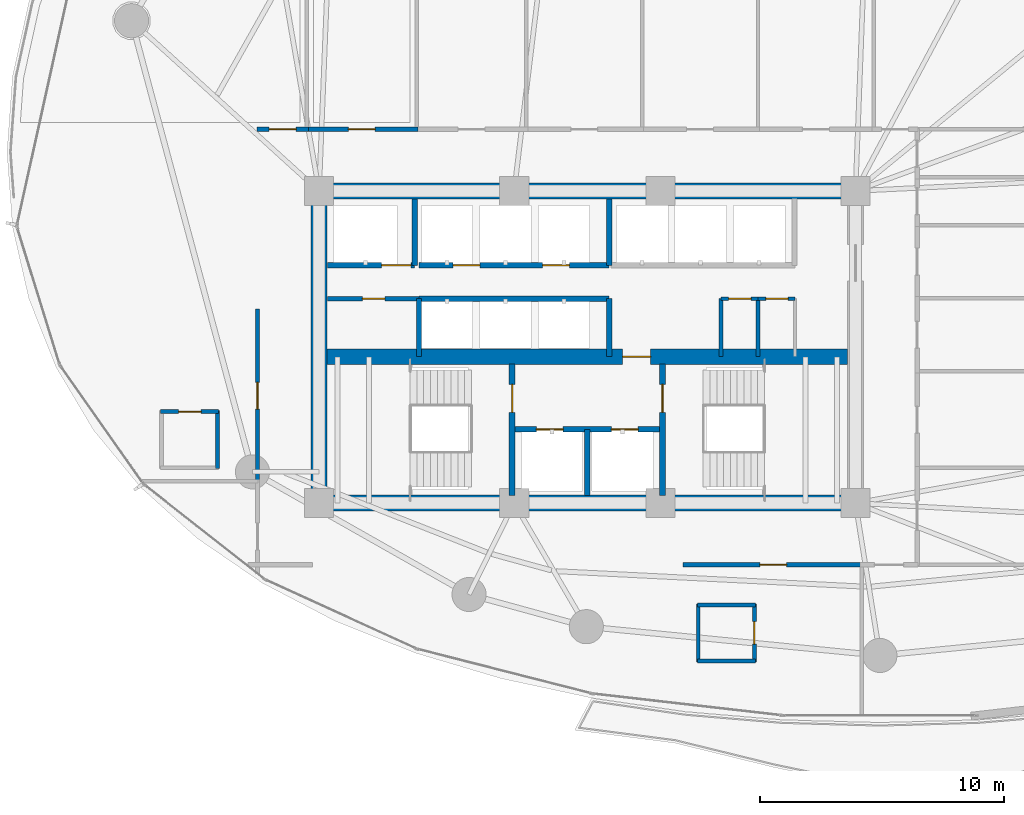
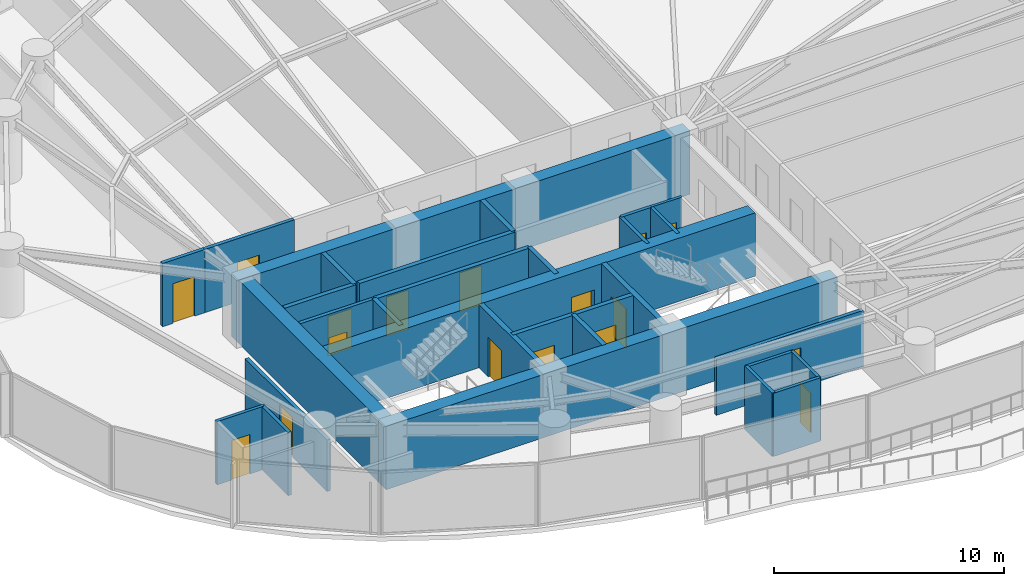
# One storey, part 26 of 33: 30 walls, 17 doors, 17 openings.
"""IFC4 building model written with IfcOpenShell, lengths in metres."""

from ifc_helpers import new_model, si_unit, direction, frame, frame_2d, origin, place, context, subcontext, project, spatial, rectangle, extrude, material, layer, layer_set, type_object, element, fill, save


model = new_model("IFC4")

# Units and contexts
model_context = context("Model", 3, precision=1e-05, world=origin(), true_north=direction((0.0, 1.0)))
body_context = subcontext(model_context, "Body", "Model", "MODEL_VIEW")
ifc_project = project(units=[si_unit("LENGTHUNIT", "METRE"), si_unit("AREAUNIT", "SQUARE_METRE"), si_unit("VOLUMEUNIT", "CUBIC_METRE"), si_unit("PLANEANGLEUNIT", "RADIAN"), si_unit("MASSUNIT", "GRAM", prefix="KILO")], contexts=[model_context])

# Site, building, storey
site_placement = place(None, origin())
site = spatial("IfcSite", under=ifc_project, at=site_placement, CompositionType="ELEMENT")
building_placement = place(site_placement, origin())
building = spatial("IfcBuilding", under=site, at=building_placement, Name="Kazevale Care Tower and Concert Hall", CompositionType="ELEMENT")
storey_placement = place(building_placement, frame((0.0, 0.0, 52.800048828125)))
storey = spatial("IfcBuildingStorey", under=building, at=storey_placement, Name="L13", CompositionType="ELEMENT", Elevation=52.800048828125)

# Wall, opening, door
ifc_material_1 = material(Name="Acoustic Gypsum on Steel Stud", Category="steel")
ifc_layer_1 = layer(ifc_material_1, 0.139892578125)
ifc_layer_set_1 = layer_set([ifc_layer_1], Name="Acoustic Gypsum on Steel Stud")
wall_type_1 = type_object("IfcWallType", Name="Acoustic Care & Suite Partition 140", PredefinedType="PARTITIONING", material=ifc_layer_set_1)
wall_1_placement = place(storey_placement, frame((40.0, 31.97998046875, 0.0), z_axis=(0.0, 0.0, 1.0), x_axis=(1.0, 0.0, 0.0)))
wall_1 = element("IfcWall", 1, at=wall_1_placement, inside=storey, type_object=wall_type_1, Name="wall:L13:ka_en2", PredefinedType="PARTITIONING", context=body_context, shape_type="SweptSolid", body=[
    extrude(rectangle(XDim=1.52001953125, YDim=0.139892578125, at=frame_2d((0.760009765625, 0.0))), origin(), (0.0, 0.0, 1.0), 3.35986328125),
])
opening_1_placement = place(wall_1_placement, frame((0.320068359375, 0.0, 0.0)))
opening_1 = element("IfcOpeningElement", 2, at=opening_1_placement, cuts=wall_1, Name="Opening ID-900", PredefinedType="OPENING", context=body_context, shape_type="SweptSolid", body=[
    extrude(rectangle(XDim=0.919921875, YDim=2.10009765625, at=frame_2d((0.4599609375, 1.050048828125))), frame((0.0, 0.079833984375, 0.0), z_axis=(0.0, -1.0, 0.0), x_axis=(1.0, 0.0, 0.0)), (0.0, 0.0, 1.0), 0.159912109375),
])
ifc_material_2 = material(Name="Oak Timber Fire Leaf", Category="wood")
door_type_1 = type_object("IfcDoorType", Name="Bathroom & Service Door 920x2100", OperationType="NOTDEFINED", PredefinedType="DOOR", material=ifc_material_2)
door_1_placement = place(opening_1_placement, origin())
door_1 = element("IfcDoor", 3, at=door_1_placement, inside=storey, type_object=door_type_1, Name="door:L13:d_kae2", OperationType="SINGLE_SWING_RIGHT", OverallHeight=2.10009765625, OverallWidth=0.919921875, PredefinedType="DOOR", context=body_context, shape_type="SweptSolid", body=[
    extrude(rectangle(XDim=0.919921875, YDim=2.10009765625, at=frame_2d((0.4599609375, 1.050048828125))), frame((0.0, 0.02490234375, 0.0), z_axis=(0.0, -1.0, 0.0), x_axis=(1.0, 0.0, 0.0)), (0.0, 0.0, 1.0), 0.050048828125),
])
fill(opening_1, door_1)

# Walls
ifc_material_3 = material(Name="Concrete C70", Category="concrete")
ifc_layer_2 = layer(ifc_material_3, 0.64990234375)
ifc_layer_set_2 = layer_set([ifc_layer_2], Name="Concrete C70")
wall_type_2 = type_object("IfcWallType", Name="Core Shear Wall 650 C70", PredefinedType="SHEAR", material=ifc_layer_set_2)
for number, where, z_axis, x_axis, name in (
    (4, (21.675048828125, 23.60009765625, 0.0), (0.0, 0.0, 1.0), (1.0, 0.0, 0.0), "wall:L13:core:S"),
    (5, (21.675048828125, 36.39990234375, 0.0), (0.0, 0.0, 1.0), (1.0, 0.0, 0.0), "wall:L13:core:N"),
):
    element("IfcWall", number, at=place(storey_placement, frame(where, z_axis=z_axis, x_axis=x_axis)), inside=storey, type_object=wall_type_2, Name=name, PredefinedType="SHEAR", context=body_context, shape_type="SweptSolid", body=[
        extrude(rectangle(XDim=22.64990234375, YDim=0.64990234375, at=frame_2d((11.324951171875, 0.0))), origin(), (0.0, 0.0, 1.0), 3.35986328125),
    ])
wall_2_placement = place(storey_placement, frame((22.0, 23.925048828125, 0.0), z_axis=(0.0, 0.0, 1.0), x_axis=(0.0, 1.0, 0.0)))
element("IfcWall", 6, at=wall_2_placement, inside=storey, type_object=wall_type_2, Name="wall:L13:core:W", PredefinedType="SHEAR", context=body_context, shape_type="SweptSolid", body=[
    extrude(rectangle(XDim=12.14990234375, YDim=0.64990234375, at=frame_2d((6.074951171875, 0.0))), origin(), (0.0, 0.0, 1.0), 3.35986328125),
])

# Wall, opening, door
wall_3_placement = place(storey_placement, frame((22.324951171875, 29.60009765625, 0.0), z_axis=(0.0, 0.0, 1.0), x_axis=(1.0, 0.0, 0.0)))
wall_3 = element("IfcWall", 7, at=wall_3_placement, inside=storey, type_object=wall_type_2, Name="wall:L13:core:M", PredefinedType="SHEAR", context=body_context, shape_type="SweptSolid", body=[
    extrude(rectangle(XDim=21.35009765625, YDim=0.64990234375, at=frame_2d((10.675048828125, 0.0))), origin(), (0.0, 0.0, 1.0), 3.35986328125),
])
opening_2_placement = place(wall_3_placement, frame((12.125, 0.0, 0.0)))
opening_2 = element("IfcOpeningElement", 8, at=opening_2_placement, cuts=wall_3, Name="Opening FD-90", PredefinedType="OPENING", context=body_context, shape_type="SweptSolid", body=[
    extrude(rectangle(XDim=1.14990234375, YDim=2.10009765625, at=frame_2d((0.574951171875, 1.050048828125))), frame((0.0, 0.3349609375, 0.0), z_axis=(0.0, -1.0, 0.0), x_axis=(1.0, 0.0, 0.0)), (0.0, 0.0, 1.0), 0.669921875),
])
ifc_material_4 = material(Name="Steel ASTM A572 Gr 50", Category="steel")
door_type_2 = type_object("IfcDoorType", Name="Pressurized Stair & Lobby Fire Door 1150x2100", OperationType="NOTDEFINED", PredefinedType="DOOR", material=ifc_material_4)
door_2_placement = place(opening_2_placement, origin())
door_2 = element("IfcDoor", 9, at=door_2_placement, inside=storey, type_object=door_type_2, Name="door:L13:ff_to_pax", OperationType="SINGLE_SWING_LEFT", OverallHeight=2.10009765625, OverallWidth=1.14990234375, PredefinedType="DOOR", context=body_context, shape_type="SweptSolid", body=[
    extrude(rectangle(XDim=1.14990234375, YDim=2.10009765625, at=frame_2d((0.574951171875, 1.050048828125))), frame((0.0, 0.02490234375, 0.0), z_axis=(0.0, -1.0, 0.0), x_axis=(1.0, 0.0, 0.0)), (0.0, 0.0, 1.0), 0.050048828125),
])
fill(opening_2, door_2)

# Wall, openings, doors
ifc_material_5 = material(Name="Concrete C40", Category="concrete")
ifc_layer_3 = layer(ifc_material_5, 0.219970703125)
ifc_layer_set_3 = layer_set([ifc_layer_3], Name="Concrete C40")
wall_type_3 = type_object("IfcWallType", Name="Elevator Hoistway Shaft Wall 220", PredefinedType="SOLIDWALL", material=ifc_layer_set_3)
wall_4_placement = place(storey_placement, frame((29.919921875, 26.6201171875, 0.0), z_axis=(0.0, 0.0, 1.0), x_axis=(1.0, 0.0, 0.0)))
wall_4 = element("IfcWall", 10, at=wall_4_placement, inside=storey, type_object=wall_type_3, Name="wall:L13:c_ffl_n", PredefinedType="SOLIDWALL", context=body_context, shape_type="SweptSolid", body=[
    extrude(rectangle(XDim=6.16015625, YDim=0.219970703125, at=frame_2d((3.080078125, 0.0))), origin(), (0.0, 0.0, 1.0), 3.35986328125),
])
opening_3_placement = place(wall_4_placement, frame((0.989990234375, 0.0, 0.0)))
opening_3 = element("IfcOpeningElement", 11, at=opening_3_placement, cuts=wall_4, Name="Opening LD-FF", PredefinedType="OPENING", context=body_context, shape_type="SweptSolid", body=[
    extrude(rectangle(XDim=1.10009765625, YDim=2.10009765625, at=frame_2d((0.550048828125, 1.050048828125))), frame((0.0, 0.119873046875, 0.0), z_axis=(0.0, -1.0, 0.0), x_axis=(1.0, 0.0, 0.0)), (0.0, 0.0, 1.0), 0.239990234375),
])
opening_4_placement = place(wall_4_placement, frame((4.070068359375, 0.0, 0.0)))
opening_4 = element("IfcOpeningElement", 12, at=opening_4_placement, cuts=wall_4, Name="Opening LD-FF", PredefinedType="OPENING", context=body_context, shape_type="SweptSolid", body=[
    extrude(rectangle(XDim=1.10009765625, YDim=2.10009765625, at=frame_2d((0.550048828125, 1.050048828125))), frame((0.0, 0.119873046875, 0.0), z_axis=(0.0, -1.0, 0.0), x_axis=(1.0, 0.0, 0.0)), (0.0, 0.0, 1.0), 0.239990234375),
])
ifc_material_6 = material(Name="Stainless Steel 316", Category="steel")
door_type_3 = type_object("IfcDoorType", Name="Emergency Lift Sliding Landing Door 1100x2100", OperationType="NOTDEFINED", PredefinedType="DOOR", material=ifc_material_6)
door_3_placement = place(opening_3_placement, origin())
door_3 = element("IfcDoor", 13, at=door_3_placement, inside=storey, type_object=door_type_3, Name="door:L13:ld_ffl1", OperationType="SLIDING_TO_LEFT", OverallHeight=2.10009765625, OverallWidth=1.10009765625, PredefinedType="DOOR", context=body_context, shape_type="SweptSolid", body=[
    extrude(rectangle(XDim=1.10009765625, YDim=2.10009765625, at=frame_2d((0.550048828125, 1.050048828125))), frame((0.0, 0.02490234375, 0.0), z_axis=(0.0, -1.0, 0.0), x_axis=(1.0, 0.0, 0.0)), (0.0, 0.0, 1.0), 0.050048828125),
])
fill(opening_3, door_3)
door_4_placement = place(opening_4_placement, origin())
door_4 = element("IfcDoor", 14, at=door_4_placement, inside=storey, type_object=door_type_3, Name="door:L13:ld_ffl2", OperationType="SLIDING_TO_RIGHT", OverallHeight=2.10009765625, OverallWidth=1.10009765625, PredefinedType="DOOR", context=body_context, shape_type="SweptSolid", body=[
    extrude(rectangle(XDim=1.10009765625, YDim=2.10009765625, at=frame_2d((0.550048828125, 1.050048828125))), frame((0.0, 0.02490234375, 0.0), z_axis=(0.0, -1.0, 0.0), x_axis=(1.0, 0.0, 0.0)), (0.0, 0.0, 1.0), 0.050048828125),
])
fill(opening_4, door_4)

# Walls
wall_5_placement = place(storey_placement, frame((33.0, 23.89990234375, 0.0), z_axis=(0.0, 0.0, 1.0), x_axis=(0.0, 1.0, 0.0)))
element("IfcWall", 15, at=wall_5_placement, inside=storey, type_object=wall_type_3, Name="wall:L13:c_ffl_m", PredefinedType="SOLIDWALL", context=body_context, shape_type="SweptSolid", body=[
    extrude(rectangle(XDim=2.72021484375, YDim=0.219970703125, at=frame_2d((1.360107421875, 0.0))), origin(), (0.0, 0.0, 1.0), 3.35986328125),
])
wall_6_placement = place(storey_placement, frame((25.919921875, 33.35009765625, 0.0), z_axis=(0.0, 0.0, 1.0), x_axis=(0.0, 1.0, 0.0)))
element("IfcWall", 16, at=wall_6_placement, inside=storey, type_object=wall_type_3, Name="wall:L13:c_svl_e", PredefinedType="SOLIDWALL", context=body_context, shape_type="SweptSolid", body=[
    extrude(rectangle(XDim=2.72998046875, YDim=0.219970703125, at=frame_2d((1.364990234375, 0.0))), origin(), (0.0, 0.0, 1.0), 3.35986328125),
])

# Wall, opening, door
wall_7_placement = place(storey_placement, frame((22.35009765625, 33.35009765625, 0.0), z_axis=(0.0, 0.0, 1.0), x_axis=(1.0, 0.0, 0.0)))
wall_7 = element("IfcWall", 17, at=wall_7_placement, inside=storey, type_object=wall_type_3, Name="wall:L13:c_svl_s", PredefinedType="SOLIDWALL", context=body_context, shape_type="SweptSolid", body=[
    extrude(rectangle(XDim=3.56982421875, YDim=0.219970703125, at=frame_2d((1.784912109375, 0.0))), origin(), (0.0, 0.0, 1.0), 3.35986328125),
])
opening_5_placement = place(wall_7_placement, frame((2.212890625, 0.0, 0.0)))
opening_5 = element("IfcOpeningElement", 18, at=opening_5_placement, cuts=wall_7, Name="Opening LD-SV", PredefinedType="OPENING", context=body_context, shape_type="SweptSolid", body=[
    extrude(rectangle(XDim=1.199951171875, YDim=2.10009765625, at=frame_2d((0.60009765625, 1.050048828125))), frame((0.0, 0.119873046875, 0.0), z_axis=(0.0, -1.0, 0.0), x_axis=(1.0, 0.0, 0.0)), (0.0, 0.0, 1.0), 0.239990234375),
])
door_type_4 = type_object("IfcDoorType", Name="Service Lift Sliding Landing Door 1200x2100", OperationType="NOTDEFINED", PredefinedType="DOOR", material=ifc_material_6)
door_5_placement = place(opening_5_placement, origin())
door_5 = element("IfcDoor", 19, at=door_5_placement, inside=storey, type_object=door_type_4, Name="door:L13:ld_svl1", OperationType="SLIDING_TO_LEFT", OverallHeight=2.10009765625, OverallWidth=1.199951171875, PredefinedType="DOOR", context=body_context, shape_type="SweptSolid", body=[
    extrude(rectangle(XDim=1.199951171875, YDim=2.10009765625, at=frame_2d((0.60009765625, 1.050048828125))), frame((0.0, 0.02490234375, 0.0), z_axis=(0.0, -1.0, 0.0), x_axis=(1.0, 0.0, 0.0)), (0.0, 0.0, 1.0), 0.050048828125),
])
fill(opening_5, door_5)

# Walls
wall_8_placement = place(storey_placement, frame((26.10009765625, 29.6201171875, 0.0), z_axis=(0.0, 0.0, 1.0), x_axis=(0.0, 1.0, 0.0)))
element("IfcWall", 20, at=wall_8_placement, inside=storey, type_object=wall_type_3, Name="wall:L13:c_ph_w", PredefinedType="SOLIDWALL", context=body_context, shape_type="SweptSolid", body=[
    extrude(rectangle(XDim=2.35986328125, YDim=0.219970703125, at=frame_2d((1.179931640625, 0.0))), origin(), (0.0, 0.0, 1.0), 3.35986328125),
])
wall_9_placement = place(storey_placement, frame((26.10009765625, 31.97998046875, 0.0), z_axis=(0.0, 0.0, 1.0), x_axis=(1.0, 0.0, 0.0)))
element("IfcWall", 21, at=wall_9_placement, inside=storey, type_object=wall_type_3, Name="wall:L13:c_ph_n", PredefinedType="SOLIDWALL", context=body_context, shape_type="SweptSolid", body=[
    extrude(rectangle(XDim=7.7998046875, YDim=0.219970703125, at=frame_2d((3.89990234375, 0.0))), origin(), (0.0, 0.0, 1.0), 3.35986328125),
])
wall_10_placement = place(storey_placement, frame((33.89990234375, 29.6201171875, 0.0), z_axis=(0.0, 0.0, 1.0), x_axis=(0.0, 1.0, 0.0)))
element("IfcWall", 22, at=wall_10_placement, inside=storey, type_object=wall_type_3, Name="wall:L13:c_ph_e", PredefinedType="SOLIDWALL", context=body_context, shape_type="SweptSolid", body=[
    extrude(rectangle(XDim=2.35986328125, YDim=0.219970703125, at=frame_2d((1.179931640625, 0.0))), origin(), (0.0, 0.0, 1.0), 3.35986328125),
])

# Wall, openings, doors
wall_11_placement = place(storey_placement, frame((26.10009765625, 33.35009765625, 0.0), z_axis=(0.0, 0.0, 1.0), x_axis=(1.0, 0.0, 0.0)))
wall_11 = element("IfcWall", 23, at=wall_11_placement, inside=storey, type_object=wall_type_3, Name="wall:L13:c_pl_s", PredefinedType="SOLIDWALL", context=body_context, shape_type="SweptSolid", body=[
    extrude(rectangle(XDim=7.7998046875, YDim=0.219970703125, at=frame_2d((3.89990234375, 0.0))), origin(), (0.0, 0.0, 1.0), 3.35986328125),
])
opening_6_placement = place(wall_11_placement, frame((1.39990234375, 0.0, 0.0)))
opening_6 = element("IfcOpeningElement", 24, at=opening_6_placement, cuts=wall_11, Name="Opening LD-PAX", PredefinedType="OPENING", context=body_context, shape_type="SweptSolid", body=[
    extrude(rectangle(XDim=1.10009765625, YDim=2.10009765625, at=frame_2d((0.550048828125, 1.050048828125))), frame((0.0, 0.119873046875, 0.0), z_axis=(0.0, -1.0, 0.0), x_axis=(1.0, 0.0, 0.0)), (0.0, 0.0, 1.0), 0.239990234375),
])
opening_7_placement = place(wall_11_placement, frame((5.06591796875, 0.0, 0.0)))
opening_7 = element("IfcOpeningElement", 25, at=opening_7_placement, cuts=wall_11, Name="Opening LD-PAX", PredefinedType="OPENING", context=body_context, shape_type="SweptSolid", body=[
    extrude(rectangle(XDim=1.10009765625, YDim=2.10009765625, at=frame_2d((0.550048828125, 1.050048828125))), frame((0.0, 0.119873046875, 0.0), z_axis=(0.0, -1.0, 0.0), x_axis=(1.0, 0.0, 0.0)), (0.0, 0.0, 1.0), 0.239990234375),
])
door_type_5 = type_object("IfcDoorType", Name="Passenger Lift Sliding Landing Door 1100x2100", OperationType="NOTDEFINED", PredefinedType="DOOR", material=ifc_material_6)
door_6_placement = place(opening_6_placement, origin())
door_6 = element("IfcDoor", 26, at=door_6_placement, inside=storey, type_object=door_type_5, Name="door:L13:ld_pl1", OperationType="SLIDING_TO_LEFT", OverallHeight=2.10009765625, OverallWidth=1.10009765625, PredefinedType="DOOR", context=body_context, shape_type="SweptSolid", body=[
    extrude(rectangle(XDim=1.10009765625, YDim=2.10009765625, at=frame_2d((0.550048828125, 1.050048828125))), frame((0.0, 0.02490234375, 0.0), z_axis=(0.0, -1.0, 0.0), x_axis=(1.0, 0.0, 0.0)), (0.0, 0.0, 1.0), 0.050048828125),
])
fill(opening_6, door_6)
door_7_placement = place(opening_7_placement, origin())
door_7 = element("IfcDoor", 27, at=door_7_placement, inside=storey, type_object=door_type_5, Name="door:L13:ld_pl2", OperationType="SLIDING_TO_RIGHT", OverallHeight=2.10009765625, OverallWidth=1.10009765625, PredefinedType="DOOR", context=body_context, shape_type="SweptSolid", body=[
    extrude(rectangle(XDim=1.10009765625, YDim=2.10009765625, at=frame_2d((0.550048828125, 1.050048828125))), frame((0.0, 0.02490234375, 0.0), z_axis=(0.0, -1.0, 0.0), x_axis=(1.0, 0.0, 0.0)), (0.0, 0.0, 1.0), 0.050048828125),
])
fill(opening_7, door_7)

# Wall
wall_12_placement = place(storey_placement, frame((33.89990234375, 33.35009765625, 0.0), z_axis=(0.0, 0.0, 1.0), x_axis=(0.0, 1.0, 0.0)))
element("IfcWall", 28, at=wall_12_placement, inside=storey, type_object=wall_type_3, Name="wall:L13:c_pl_e", PredefinedType="SOLIDWALL", context=body_context, shape_type="SweptSolid", body=[
    extrude(rectangle(XDim=2.72998046875, YDim=0.219970703125, at=frame_2d((1.364990234375, 0.0))), origin(), (0.0, 0.0, 1.0), 3.35986328125),
])

# Wall, opening, door
ifc_material_7 = material(Name="Concrete C40 and Acoustic Gypsum", Category="concrete")
ifc_layer_4 = layer(ifc_material_7, 0.179931640625)
ifc_layer_set_4 = layer_set([ifc_layer_4], Name="Concrete C40 and Acoustic Gypsum")
wall_type_4 = type_object("IfcWallType", Name="Fire-Rated Corridor & Party Wall 180", PredefinedType="PARTITIONING", material=ifc_layer_set_4)
wall_13_placement = place(storey_placement, frame((22.35009765625, 31.97998046875, 0.0), z_axis=(0.0, 0.0, 1.0), x_axis=(1.0, 0.0, 0.0)))
wall_13 = element("IfcWall", 29, at=wall_13_placement, inside=storey, type_object=wall_type_4, Name="wall:L13:ka_wn1", PredefinedType="PARTITIONING", context=body_context, shape_type="SweptSolid", body=[
    extrude(rectangle(XDim=3.75, YDim=0.179931640625, at=frame_2d((1.875, 0.0))), origin(), (0.0, 0.0, 1.0), 3.35986328125),
])
opening_8_placement = place(wall_13_placement, frame((1.425048828125, 0.0, 0.0)))
opening_8 = element("IfcOpeningElement", 30, at=opening_8_placement, cuts=wall_13, Name="Opening ID-900", PredefinedType="OPENING", context=body_context, shape_type="SweptSolid", body=[
    extrude(rectangle(XDim=0.919921875, YDim=2.10009765625, at=frame_2d((0.4599609375, 1.050048828125))), frame((0.0, 0.099853515625, 0.0), z_axis=(0.0, -1.0, 0.0), x_axis=(1.0, 0.0, 0.0)), (0.0, 0.0, 1.0), 0.199951171875),
])
door_8_placement = place(opening_8_placement, origin())
door_8 = element("IfcDoor", 31, at=door_8_placement, inside=storey, type_object=door_type_1, Name="door:L13:d_kaw", OperationType="SINGLE_SWING_LEFT", OverallHeight=2.10009765625, OverallWidth=0.919921875, PredefinedType="DOOR", context=body_context, shape_type="SweptSolid", body=[
    extrude(rectangle(XDim=0.919921875, YDim=2.10009765625, at=frame_2d((0.4599609375, 1.050048828125))), frame((0.0, 0.02490234375, 0.0), z_axis=(0.0, -1.0, 0.0), x_axis=(1.0, 0.0, 0.0)), (0.0, 0.0, 1.0), 0.050048828125),
])
fill(opening_8, door_8)

wall_14_placement = place(storey_placement, frame((19.445068359375, 38.925048828125, 0.0), z_axis=(0.0, 0.0, 1.0), x_axis=(1.0, 0.0, 0.0)))
wall_14 = element("IfcWall", 32, at=wall_14_placement, inside=storey, type_object=wall_type_4, Name="wall:L13:auto_001", PredefinedType="PARTITIONING", context=body_context, shape_type="SweptSolid", body=[
    extrude(rectangle(XDim=2.119873046875, YDim=0.179931640625, at=frame_2d((1.06005859375, 0.0))), origin(), (0.0, 0.0, 1.0), 3.35986328125),
])
opening_9_placement = place(wall_14_placement, frame((0.510009765625, 0.0, 0.0)))
opening_9 = element("IfcOpeningElement", 33, at=opening_9_placement, cuts=wall_14, Name="Opening ID-1100", PredefinedType="OPENING", context=body_context, shape_type="SweptSolid", body=[
    extrude(rectangle(XDim=1.10009765625, YDim=2.10009765625, at=frame_2d((0.550048828125, 1.050048828125))), frame((0.0, 0.099853515625, 0.0), z_axis=(0.0, -1.0, 0.0), x_axis=(1.0, 0.0, 0.0)), (0.0, 0.0, 1.0), 0.199951171875),
])
door_type_6 = type_object("IfcDoorType", Name="Care Bedroom Accessible Door 1100x2100", OperationType="NOTDEFINED", PredefinedType="DOOR", material=ifc_material_2)
door_9_placement = place(opening_9_placement, origin())
door_9 = element("IfcDoor", 34, at=door_9_placement, inside=storey, type_object=door_type_6, Name="door:L13:ad_001", OperationType="SINGLE_SWING_LEFT", OverallHeight=2.10009765625, OverallWidth=1.10009765625, PredefinedType="DOOR", context=body_context, shape_type="SweptSolid", body=[
    extrude(rectangle(XDim=1.10009765625, YDim=2.10009765625, at=frame_2d((0.550048828125, 1.050048828125))), frame((0.0, 0.02490234375, 0.0), z_axis=(0.0, -1.0, 0.0), x_axis=(1.0, 0.0, 0.0)), (0.0, 0.0, 1.0), 0.050048828125),
])
fill(opening_9, door_9)

wall_15_placement = place(storey_placement, frame((21.43505859375, 38.925048828125, 0.0), z_axis=(0.0, 0.0, 1.0), x_axis=(1.0, 0.0, 0.0)))
wall_15 = element("IfcWall", 35, at=wall_15_placement, inside=storey, type_object=wall_type_4, Name="wall:L13:auto_002", PredefinedType="PARTITIONING", context=body_context, shape_type="SweptSolid", body=[
    extrude(rectangle(XDim=4.6298828125, YDim=0.179931640625, at=frame_2d((2.31494140625, 0.0))), origin(), (0.0, 0.0, 1.0), 3.35986328125),
])
opening_10_placement = place(wall_15_placement, frame((1.764892578125, 0.0, 0.0)))
opening_10 = element("IfcOpeningElement", 36, at=opening_10_placement, cuts=wall_15, Name="Opening ID-1100", PredefinedType="OPENING", context=body_context, shape_type="SweptSolid", body=[
    extrude(rectangle(XDim=1.10009765625, YDim=2.10009765625, at=frame_2d((0.550048828125, 1.050048828125))), frame((0.0, 0.099853515625, 0.0), z_axis=(0.0, -1.0, 0.0), x_axis=(1.0, 0.0, 0.0)), (0.0, 0.0, 1.0), 0.199951171875),
])
door_10_placement = place(opening_10_placement, origin())
door_10 = element("IfcDoor", 37, at=door_10_placement, inside=storey, type_object=door_type_6, Name="door:L13:ad_002", OperationType="SINGLE_SWING_LEFT", OverallHeight=2.10009765625, OverallWidth=1.10009765625, PredefinedType="DOOR", context=body_context, shape_type="SweptSolid", body=[
    extrude(rectangle(XDim=1.10009765625, YDim=2.10009765625, at=frame_2d((0.550048828125, 1.050048828125))), frame((0.0, 0.02490234375, 0.0), z_axis=(0.0, -1.0, 0.0), x_axis=(1.0, 0.0, 0.0)), (0.0, 0.0, 1.0), 0.050048828125),
])
fill(opening_10, door_10)

wall_16_placement = place(storey_placement, frame((44.31494140625, 21.074951171875, 0.0), z_axis=(0.0, 0.0, 1.0), x_axis=(-1.0, 0.0, 0.0)))
wall_16 = element("IfcWall", 38, at=wall_16_placement, inside=storey, type_object=wall_type_4, Name="wall:L13:auto_014", PredefinedType="PARTITIONING", context=body_context, shape_type="SweptSolid", body=[
    extrude(rectangle(XDim=7.3798828125, YDim=0.179931640625, at=frame_2d((3.68994140625, 0.0))), origin(), (0.0, 0.0, 1.0), 2.995849609375),
])
opening_11_placement = place(wall_16_placement, frame((3.139892578125, 0.0, 0.0)))
opening_11 = element("IfcOpeningElement", 39, at=opening_11_placement, cuts=wall_16, Name="Opening ID-1100", PredefinedType="OPENING", context=body_context, shape_type="SweptSolid", body=[
    extrude(rectangle(XDim=1.10009765625, YDim=2.10009765625, at=frame_2d((0.550048828125, 1.050048828125))), frame((0.0, 0.099853515625, 0.0), z_axis=(0.0, -1.0, 0.0), x_axis=(1.0, 0.0, 0.0)), (0.0, 0.0, 1.0), 0.199951171875),
])
door_11_placement = place(opening_11_placement, origin())
door_11 = element("IfcDoor", 40, at=door_11_placement, inside=storey, type_object=door_type_6, Name="door:L13:ad_014", OperationType="SINGLE_SWING_LEFT", OverallHeight=2.10009765625, OverallWidth=1.10009765625, PredefinedType="DOOR", context=body_context, shape_type="SweptSolid", body=[
    extrude(rectangle(XDim=1.10009765625, YDim=2.10009765625, at=frame_2d((0.550048828125, 1.050048828125))), frame((0.0, 0.02490234375, 0.0), z_axis=(0.0, -1.0, 0.0), x_axis=(1.0, 0.0, 0.0)), (0.0, 0.0, 1.0), 0.050048828125),
])
fill(opening_11, door_11)

wall_17_placement = place(storey_placement, frame((19.47509765625, 24.43505859375, 0.0), z_axis=(0.0, 0.0, 1.0), x_axis=(0.0, 1.0, 0.0)))
wall_17 = element("IfcWall", 41, at=wall_17_placement, inside=storey, type_object=wall_type_4, Name="wall:L13:auto_018", PredefinedType="PARTITIONING", context=body_context, shape_type="SweptSolid", body=[
    extrude(rectangle(XDim=7.1298828125, YDim=0.179931640625, at=frame_2d((3.56494140625, 0.0))), origin(), (0.0, 0.0, 1.0), 2.738037109375),
])
opening_12_placement = place(wall_17_placement, frame((3.014892578125, 0.0, 0.0)))
opening_12 = element("IfcOpeningElement", 42, at=opening_12_placement, cuts=wall_17, Name="Opening ID-1100", PredefinedType="OPENING", context=body_context, shape_type="SweptSolid", body=[
    extrude(rectangle(XDim=1.10009765625, YDim=2.10009765625, at=frame_2d((0.550048828125, 1.050048828125))), frame((0.0, 0.099853515625, 0.0), z_axis=(0.0, -1.0, 0.0), x_axis=(1.0, 0.0, 0.0)), (0.0, 0.0, 1.0), 0.199951171875),
])
door_12_placement = place(opening_12_placement, origin())
door_12 = element("IfcDoor", 43, at=door_12_placement, inside=storey, type_object=door_type_6, Name="door:L13:ad_018", OperationType="SINGLE_SWING_LEFT", OverallHeight=2.10009765625, OverallWidth=1.10009765625, PredefinedType="DOOR", context=body_context, shape_type="SweptSolid", body=[
    extrude(rectangle(XDim=1.10009765625, YDim=2.10009765625, at=frame_2d((0.550048828125, 1.050048828125))), frame((0.0, 0.02490234375, 0.0), z_axis=(0.0, -1.0, 0.0), x_axis=(1.0, 0.0, 0.0)), (0.0, 0.0, 1.0), 0.050048828125),
])
fill(opening_12, door_12)

# Walls
ifc_layer_5 = layer(ifc_material_1, 0.159912109375)
ifc_layer_set_5 = layer_set([ifc_layer_5], Name="Acoustic Gypsum on Steel Stud")
wall_type_5 = type_object("IfcWallType", Name="Moisture-Resistant Bathroom Plumbing Wall 160", PredefinedType="PLUMBINGWALL", material=ifc_layer_set_5)
for number, where, z_axis, x_axis, name in (
    (44, (38.47998046875, 29.6201171875, 0.0), (0.0, 0.0, 1.0), (0.0, 1.0, 0.0), "wall:L13:ka_ew"),
    (45, (40.0, 29.6201171875, 0.0), (0.0, 0.0, 1.0), (0.0, 1.0, 0.0), "wall:L13:ka_em"),
):
    element("IfcWall", number, at=place(storey_placement, frame(where, z_axis=z_axis, x_axis=x_axis)), inside=storey, type_object=wall_type_5, Name=name, PredefinedType="PLUMBINGWALL", context=body_context, shape_type="SweptSolid", body=[
        extrude(rectangle(XDim=2.35986328125, YDim=0.159912109375, at=frame_2d((1.179931640625, 0.0))), origin(), (0.0, 0.0, 1.0), 3.35986328125),
    ])

# Wall, opening, door
wall_18_placement = place(storey_placement, frame((38.47998046875, 31.97998046875, 0.0), z_axis=(0.0, 0.0, 1.0), x_axis=(1.0, 0.0, 0.0)))
wall_18 = element("IfcWall", 46, at=wall_18_placement, inside=storey, type_object=wall_type_5, Name="wall:L13:ka_en1", PredefinedType="PLUMBINGWALL", context=body_context, shape_type="SweptSolid", body=[
    extrude(rectangle(XDim=1.52001953125, YDim=0.159912109375, at=frame_2d((0.760009765625, 0.0))), origin(), (0.0, 0.0, 1.0), 3.35986328125),
])
opening_13_placement = place(wall_18_placement, frame((0.320068359375, 0.0, 0.0)))
opening_13 = element("IfcOpeningElement", 47, at=opening_13_placement, cuts=wall_18, Name="Opening ID-900", PredefinedType="OPENING", context=body_context, shape_type="SweptSolid", body=[
    extrude(rectangle(XDim=0.919921875, YDim=2.10009765625, at=frame_2d((0.4599609375, 1.050048828125))), frame((0.0, 0.08984375, 0.0), z_axis=(0.0, -1.0, 0.0), x_axis=(1.0, 0.0, 0.0)), (0.0, 0.0, 1.0), 0.179931640625),
])
door_13_placement = place(opening_13_placement, origin())
door_13 = element("IfcDoor", 48, at=door_13_placement, inside=storey, type_object=door_type_1, Name="door:L13:d_kae1", OperationType="SINGLE_SWING_LEFT", OverallHeight=2.10009765625, OverallWidth=0.919921875, PredefinedType="DOOR", context=body_context, shape_type="SweptSolid", body=[
    extrude(rectangle(XDim=0.919921875, YDim=2.10009765625, at=frame_2d((0.4599609375, 1.050048828125))), frame((0.0, 0.02490234375, 0.0), z_axis=(0.0, -1.0, 0.0), x_axis=(1.0, 0.0, 0.0)), (0.0, 0.0, 1.0), 0.050048828125),
])
fill(opening_13, door_13)

# Walls
for number, where, z_axis, x_axis, name in (
    (49, (37.510009765625, 17.115966796875, 0.0), (0.0, 0.0, 1.0), (1.0, 0.0, 0.0), "wall:L13:sb2a_ens_ws"),
    (50, (37.510009765625, 19.416015625, 0.0), (0.0, 0.0, 1.0), (1.0, 0.0, 0.0), "wall:L13:sb2a_ens_wn"),
):
    element("IfcWall", number, at=place(storey_placement, frame(where, z_axis=z_axis, x_axis=x_axis)), inside=storey, type_object=wall_type_5, Name=name, PredefinedType="PLUMBINGWALL", context=body_context, shape_type="SweptSolid", body=[
        extrude(rectangle(XDim=2.3798828125, YDim=0.159912109375, at=frame_2d((1.18994140625, 0.0))), origin(), (0.0, 0.0, 1.0), 3.35986328125),
    ])
wall_19_placement = place(storey_placement, frame((37.550048828125, 17.075927734375, 0.0), z_axis=(0.0, 0.0, 1.0), x_axis=(0.0, 1.0, 0.0)))
element("IfcWall", 51, at=wall_19_placement, inside=storey, type_object=wall_type_5, Name="wall:L13:sb2a_ens_ww", PredefinedType="PLUMBINGWALL", context=body_context, shape_type="SweptSolid", body=[
    extrude(rectangle(XDim=2.380126953125, YDim=0.159912109375, at=frame_2d((1.18994140625, 0.0))), origin(), (0.0, 0.0, 1.0), 3.35986328125),
])

# Wall, opening, door
wall_20_placement = place(storey_placement, frame((39.85009765625, 17.075927734375, 0.0), z_axis=(0.0, 0.0, 1.0), x_axis=(0.0, 1.0, 0.0)))
wall_20 = element("IfcWall", 52, at=wall_20_placement, inside=storey, type_object=wall_type_5, Name="wall:L13:sb2a_ens_we", PredefinedType="PLUMBINGWALL", context=body_context, shape_type="SweptSolid", body=[
    extrude(rectangle(XDim=2.380126953125, YDim=0.159912109375, at=frame_2d((1.18994140625, 0.0))), origin(), (0.0, 0.0, 1.0), 3.35986328125),
])
opening_14_placement = place(wall_20_placement, frame((0.739990234375, 0.0, 0.0)))
opening_14 = element("IfcOpeningElement", 53, at=opening_14_placement, cuts=wall_20, Name="Opening ID-900", PredefinedType="OPENING", context=body_context, shape_type="SweptSolid", body=[
    extrude(rectangle(XDim=0.919921875, YDim=2.10009765625, at=frame_2d((0.4599609375, 1.050048828125))), frame((0.0, 0.08984375, 0.0), z_axis=(0.0, -1.0, 0.0), x_axis=(1.0, 0.0, 0.0)), (0.0, 0.0, 1.0), 0.179931640625),
])
door_14_placement = place(opening_14_placement, origin())
door_14 = element("IfcDoor", 54, at=door_14_placement, inside=storey, type_object=door_type_1, Name="door:L13:sb2a_ens_d", OperationType="SINGLE_SWING_LEFT", OverallHeight=2.10009765625, OverallWidth=0.919921875, PredefinedType="DOOR", context=body_context, shape_type="SweptSolid", body=[
    extrude(rectangle(XDim=0.919921875, YDim=2.10009765625, at=frame_2d((0.4599609375, 1.050048828125))), frame((0.0, 0.02490234375, 0.0), z_axis=(0.0, -1.0, 0.0), x_axis=(1.0, 0.0, 0.0)), (0.0, 0.0, 1.0), 0.050048828125),
])
fill(opening_14, door_14)

wall_21_placement = place(storey_placement, frame((15.5, 27.35009765625, 0.0), z_axis=(0.0, 0.0, 1.0), x_axis=(1.0, 0.0, 0.0)))
wall_21 = element("IfcWall", 55, at=wall_21_placement, inside=storey, type_object=wall_type_5, Name="wall:L13:wb2_ens_wn", PredefinedType="PLUMBINGWALL", context=body_context, shape_type="SweptSolid", body=[
    extrude(rectangle(XDim=2.3798828125, YDim=0.159912109375, at=frame_2d((1.18994140625, 0.0))), origin(), (0.0, 0.0, 1.0), 3.35986328125),
])
opening_15_placement = place(wall_21_placement, frame((0.739990234375, 0.0, 0.0)))
opening_15 = element("IfcOpeningElement", 56, at=opening_15_placement, cuts=wall_21, Name="Opening ID-900", PredefinedType="OPENING", context=body_context, shape_type="SweptSolid", body=[
    extrude(rectangle(XDim=0.919921875, YDim=2.10009765625, at=frame_2d((0.4599609375, 1.050048828125))), frame((0.0, 0.08984375, 0.0), z_axis=(0.0, -1.0, 0.0), x_axis=(1.0, 0.0, 0.0)), (0.0, 0.0, 1.0), 0.179931640625),
])
door_15_placement = place(opening_15_placement, origin())
door_15 = element("IfcDoor", 57, at=door_15_placement, inside=storey, type_object=door_type_1, Name="door:L13:wb2_ens_d", OperationType="SINGLE_SWING_LEFT", OverallHeight=2.10009765625, OverallWidth=0.919921875, PredefinedType="DOOR", context=body_context, shape_type="SweptSolid", body=[
    extrude(rectangle(XDim=0.919921875, YDim=2.10009765625, at=frame_2d((0.4599609375, 1.050048828125))), frame((0.0, 0.02490234375, 0.0), z_axis=(0.0, -1.0, 0.0), x_axis=(1.0, 0.0, 0.0)), (0.0, 0.0, 1.0), 0.050048828125),
])
fill(opening_15, door_15)

# Wall
wall_22_placement = place(storey_placement, frame((17.840087890625, 25.010009765625, 0.0), z_axis=(0.0, 0.0, 1.0), x_axis=(0.0, 1.0, 0.0)))
element("IfcWall", 58, at=wall_22_placement, inside=storey, type_object=wall_type_5, Name="wall:L13:wb2_ens_we", PredefinedType="PLUMBINGWALL", context=body_context, shape_type="SweptSolid", body=[
    extrude(rectangle(XDim=2.3798828125, YDim=0.159912109375, at=frame_2d((1.18994140625, 0.0))), origin(), (0.0, 0.0, 1.0), 3.35986328125),
])

# Wall, opening, door
ifc_layer_6 = layer(ifc_material_5, 0.25)
ifc_layer_set_6 = layer_set([ifc_layer_6], Name="Concrete C40")
wall_type_6 = type_object("IfcWallType", Name="Pressurized Stair Shaft Wall 250", PredefinedType="SOLIDWALL", material=ifc_layer_set_6)
wall_23_placement = place(storey_placement, frame((29.919921875, 23.89990234375, 0.0), z_axis=(0.0, 0.0, 1.0), x_axis=(0.0, 1.0, 0.0)))
wall_23 = element("IfcWall", 59, at=wall_23_placement, inside=storey, type_object=wall_type_6, Name="wall:L13:c_st1_e", PredefinedType="SOLIDWALL", context=body_context, shape_type="SweptSolid", body=[
    extrude(rectangle(XDim=5.400146484375, YDim=0.25, at=frame_2d((2.7001953125, 0.0))), origin(), (0.0, 0.0, 1.0), 3.35986328125),
])
opening_16_placement = place(wall_23_placement, frame((3.4208984375, 0.0, 0.0)))
opening_16 = element("IfcOpeningElement", 60, at=opening_16_placement, cuts=wall_23, Name="Opening FD-90", PredefinedType="OPENING", context=body_context, shape_type="SweptSolid", body=[
    extrude(rectangle(XDim=1.14990234375, YDim=2.10009765625, at=frame_2d((0.574951171875, 1.050048828125))), frame((0.0, 0.135009765625, 0.0), z_axis=(0.0, -1.0, 0.0), x_axis=(1.0, 0.0, 0.0)), (0.0, 0.0, 1.0), 0.27001953125),
])
door_16_placement = place(opening_16_placement, origin())
door_16 = element("IfcDoor", 61, at=door_16_placement, inside=storey, type_object=door_type_2, Name="door:L13:st1", OperationType="SINGLE_SWING_RIGHT", OverallHeight=2.10009765625, OverallWidth=1.14990234375, PredefinedType="DOOR", context=body_context, shape_type="SweptSolid", body=[
    extrude(rectangle(XDim=1.14990234375, YDim=2.10009765625, at=frame_2d((0.574951171875, 1.050048828125))), frame((0.0, 0.02490234375, 0.0), z_axis=(0.0, -1.0, 0.0), x_axis=(1.0, 0.0, 0.0)), (0.0, 0.0, 1.0), 0.050048828125),
])
fill(opening_16, door_16)

wall_24_placement = place(storey_placement, frame((36.080078125, 23.89990234375, 0.0), z_axis=(0.0, 0.0, 1.0), x_axis=(0.0, 1.0, 0.0)))
wall_24 = element("IfcWall", 62, at=wall_24_placement, inside=storey, type_object=wall_type_6, Name="wall:L13:c_st2_w", PredefinedType="SOLIDWALL", context=body_context, shape_type="SweptSolid", body=[
    extrude(rectangle(XDim=5.400146484375, YDim=0.25, at=frame_2d((2.7001953125, 0.0))), origin(), (0.0, 0.0, 1.0), 3.35986328125),
])
opening_17_placement = place(wall_24_placement, frame((3.4208984375, 0.0, 0.0)))
opening_17 = element("IfcOpeningElement", 63, at=opening_17_placement, cuts=wall_24, Name="Opening FD-90", PredefinedType="OPENING", context=body_context, shape_type="SweptSolid", body=[
    extrude(rectangle(XDim=1.14990234375, YDim=2.10009765625, at=frame_2d((0.574951171875, 1.050048828125))), frame((0.0, 0.135009765625, 0.0), z_axis=(0.0, -1.0, 0.0), x_axis=(1.0, 0.0, 0.0)), (0.0, 0.0, 1.0), 0.27001953125),
])
door_17_placement = place(opening_17_placement, origin())
door_17 = element("IfcDoor", 64, at=door_17_placement, inside=storey, type_object=door_type_2, Name="door:L13:st2", OperationType="SINGLE_SWING_LEFT", OverallHeight=2.10009765625, OverallWidth=1.14990234375, PredefinedType="DOOR", context=body_context, shape_type="SweptSolid", body=[
    extrude(rectangle(XDim=1.14990234375, YDim=2.10009765625, at=frame_2d((0.574951171875, 1.050048828125))), frame((0.0, 0.02490234375, 0.0), z_axis=(0.0, -1.0, 0.0), x_axis=(1.0, 0.0, 0.0)), (0.0, 0.0, 1.0), 0.050048828125),
])
fill(opening_17, door_17)

save(model, "model.ifc")
